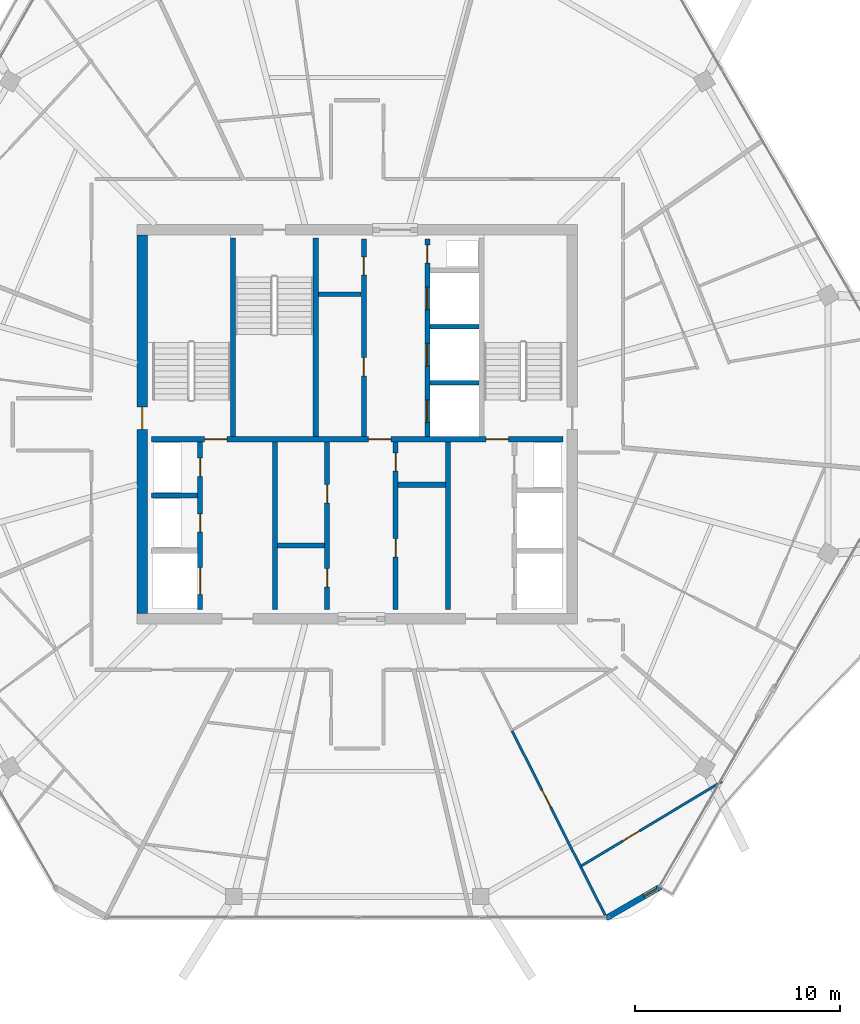
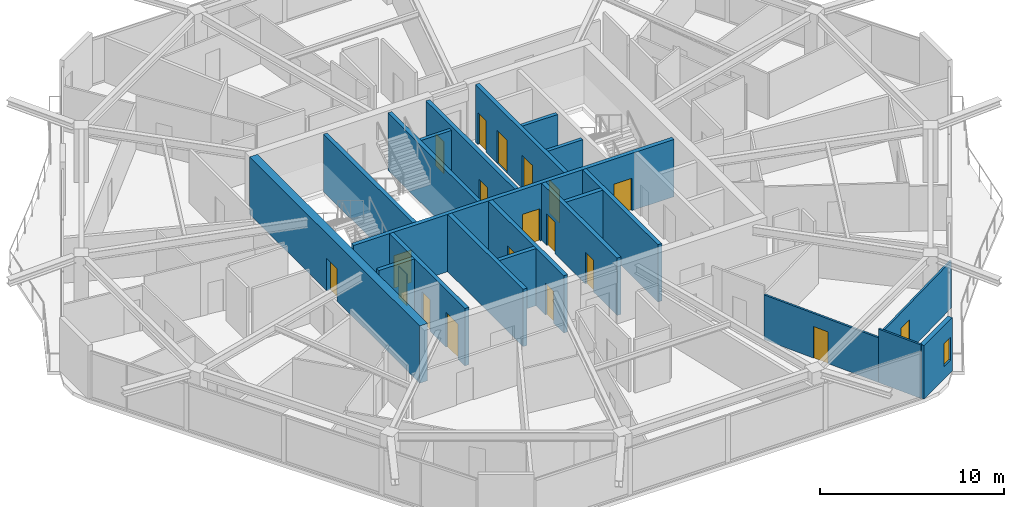
# One storey, part 13 of 19: 21 walls, 19 doors, 1 window, 20 openings.
"""IFC4 building model written with IfcOpenShell, lengths in metres."""

import ifcopenshell
import ifcopenshell.guid

model = None  # the IFC model being written
_history = None  # IfcOwnerHistory: only IFC2X3 demands one
_inside = {}  # id of a spatial element -> (the spatial element, [elements in it])
_under = {}  # id of a project, library or spatial element -> (it, [spatial elements below it])
_declared = {}  # id of a project -> (the project, [libraries it declares])
_typed = {}  # id of a type object -> (the type object, [elements of that type])
_made_of = {}  # id of a material, layer set ... -> (it, [elements and type objects made of it])


def new_model(schema):
    """Start an empty IFC model of exactly this schema.

    Asked for "IFC4X3", IfcOpenShell would pick the latest addendum, in which some entities
    have other attributes; the version numbers below select the first issue.
    IFC2X3 requires an IfcOwnerHistory on every rooted entity: one is made here for all.
    """
    global model, _history
    if schema == "IFC4X3":
        model = ifcopenshell.file(schema_version=(4, 3, 0, 0))
    else:
        model = ifcopenshell.file(schema=schema)
    _inside.clear()
    _under.clear()
    _declared.clear()
    _typed.clear()
    _made_of.clear()
    _history = None
    if model.schema == "IFC2X3":
        org = make("IfcOrganization", Name="unknown")
        user = make(
            "IfcPersonAndOrganization",
            ThePerson=make("IfcPerson", FamilyName="unknown"),
            TheOrganization=org,
        )
        app = make(
            "IfcApplication",
            ApplicationDeveloper=org,
            Version="unknown",
            ApplicationFullName="unknown",
            ApplicationIdentifier="unknown",
        )
        _history = make(
            "IfcOwnerHistory",
            OwningUser=user,
            OwningApplication=app,
            ChangeAction="ADDED",
            CreationDate=0,
        )
    return model


def make(cls, **values):
    """One entity of the class cls with the attributes given. An attribute that is None is left unset."""
    return model.create_entity(
        cls, **{name: value for name, value in values.items() if value is not None}
    )


def rooted(cls, **values):
    """An entity with a GlobalId (a new one), such as an element, a storey or a relation."""
    return make(cls, GlobalId=ifcopenshell.guid.new(), OwnerHistory=_history, **values)


def si_unit(unit_type, name, prefix=None):
    """IfcSIUnit, for example si_unit("LENGTHUNIT", "METRE", prefix="MILLI")."""
    return make("IfcSIUnit", UnitType=unit_type, Prefix=prefix, Name=name)


def assignment(units):
    """IfcUnitAssignment: the units of a project."""
    return None if units is None else make("IfcUnitAssignment", Units=units)


def point(xyz):
    """IfcCartesianPoint."""
    return None if xyz is None else make("IfcCartesianPoint", Coordinates=xyz)


def direction(xyz):
    """IfcDirection."""
    return None if xyz is None else make("IfcDirection", DirectionRatios=xyz)


def frame(location, z_axis=None, x_axis=None):
    """IfcAxis2Placement3D, a coordinate frame: its origin and axes. An axis left out is left unset."""
    return make(
        "IfcAxis2Placement3D",
        Location=point(location),
        Axis=direction(z_axis),
        RefDirection=direction(x_axis),
    )


def frame_2d(location, x_axis=None):
    """IfcAxis2Placement2D, a coordinate frame in the plane: its origin and x axis."""
    return make(
        "IfcAxis2Placement2D", Location=point(location), RefDirection=direction(x_axis)
    )


def origin():
    """The frame at (0, 0, 0) with its axes left unset."""
    return frame((0.0, 0.0, 0.0))


def place(relative_to, where):
    """IfcLocalPlacement: puts the frame where relative to a parent placement (None: the world)."""
    return make(
        "IfcLocalPlacement", PlacementRelTo=relative_to, RelativePlacement=where
    )


def context(
    kind, dimensions, precision=None, world=None, true_north=None, identifier=None
):
    """IfcGeometricRepresentationContext, for example the 3D "Model" context."""
    return make(
        "IfcGeometricRepresentationContext",
        ContextIdentifier=identifier,
        ContextType=kind,
        CoordinateSpaceDimension=dimensions,
        Precision=precision,
        WorldCoordinateSystem=world,
        TrueNorth=true_north,
    )


def subcontext(parent, identifier, kind, view, scale=None):
    """IfcGeometricRepresentationSubContext, for example "Body" below "Model"."""
    return make(
        "IfcGeometricRepresentationSubContext",
        ContextIdentifier=identifier,
        ContextType=kind,
        ParentContext=parent,
        TargetScale=scale,
        TargetView=view,
    )


def project(units=None, contexts=None):
    """IfcProject with its units and contexts."""
    return rooted(
        "IfcProject",
        Name="project",
        RepresentationContexts=contexts,
        UnitsInContext=assignment(units),
    )


def spatial(cls, under=None, at=None, **own):
    """A site, building, storey or space (cls), placed at a placement, below another one or the project."""
    s = rooted(cls, ObjectPlacement=at, **own)
    if under is not None:
        _under.setdefault(under.id(), (under, []))[1].append(s)
    return s


def profile(cls, at=None, kind="AREA", **sizes):
    """A parametric profile (cls). Its sizes go by their IFC names, for example OverallWidth=200.0."""
    return make(cls, ProfileType=kind, Position=at, **sizes)


def rectangle(**sizes):
    """IfcRectangleProfileDef."""
    return profile("IfcRectangleProfileDef", **sizes)


def extrude(swept, where, along, depth):
    """IfcExtrudedAreaSolid: the profile swept, set in the frame where, extruded along a direction by depth."""
    return make(
        "IfcExtrudedAreaSolid",
        SweptArea=swept,
        Position=where,
        ExtrudedDirection=direction(along),
        Depth=depth,
    )


def shape(context_of_items, identifier, shape_type, items):
    """IfcShapeRepresentation: the items that make up one representation, for example the "Body"."""
    return make(
        "IfcShapeRepresentation",
        ContextOfItems=context_of_items,
        RepresentationIdentifier=identifier,
        RepresentationType=shape_type,
        Items=items,
    )


def material(Name=None, Category=None):
    """IfcMaterial."""
    return make("IfcMaterial", Name=Name, Category=Category)


def layer(
    of_material, thickness, ventilated=None, Name=None, Category=None, Priority=None
):
    """IfcMaterialLayer: one layer of a wall or slab, of a material (None: an air gap)."""
    return make(
        "IfcMaterialLayer",
        Material=of_material,
        LayerThickness=thickness,
        IsVentilated=ventilated,
        Name=Name,
        Category=Category,
        Priority=Priority,
    )


def layer_set(layers, Name=None):
    """IfcMaterialLayerSet."""
    return make("IfcMaterialLayerSet", MaterialLayers=layers, LayerSetName=Name)


def made_of(thing, what):
    """Note that an element or type object is made of a material, layer set ...; save() writes the relation."""
    if what is not None:
        _made_of.setdefault(what.id(), (what, []))[1].append(thing)
    return thing


def type_object(cls, material=None, **own):
    """A type object (cls), such as IfcWallType, which elements share."""
    return made_of(rooted(cls, **own), material)


def element(
    cls,
    number,
    at=None,
    inside=None,
    cuts=None,
    type_object=None,
    material=None,
    context=None,
    identifier="Body",
    shape_type=None,
    held_by="IfcProductDefinitionShape",
    body=None,
    shapes=None,
    **own,
):
    """One element of the class cls, such as IfcWall. Its Tag is "e" and its number.

    at: its placement. inside: the storey or other place that contains it. cuts: it is an
    opening in that element (IfcRelVoidsElement). A single representation is given by context,
    identifier, shape_type and body (its items); several are given by shapes. held_by: the class
    of the entity that holds the representations. save() writes the other relations.
    """
    e = rooted(cls, Tag="e%d" % number, ObjectPlacement=at, **own)
    if body is not None:
        shapes = [shape(context, identifier, shape_type, body)]
    if shapes is not None:
        e.Representation = make(held_by, Representations=shapes)
    if inside is not None:
        _inside.setdefault(inside.id(), (inside, []))[1].append(e)
    if cuts is not None:
        rooted(
            "IfcRelVoidsElement", RelatingBuildingElement=cuts, RelatedOpeningElement=e
        )
    if type_object is not None:
        _typed.setdefault(type_object.id(), (type_object, []))[1].append(e)
    return made_of(e, material)


def fill(opening, filler):
    """IfcRelFillsElement: the door or window that sits in an opening."""
    return rooted(
        "IfcRelFillsElement",
        RelatingOpeningElement=opening,
        RelatedBuildingElement=filler,
    )


def aggregate(whole, parts):
    """IfcRelAggregates: a whole, such as a stair, and the parts it consists of."""
    return rooted("IfcRelAggregates", RelatingObject=whole, RelatedObjects=parts)


def save(model, path):
    """Write the relations noted so far, then the file.

    IfcRelAggregates (storeys below a building ...), IfcRelContainedInSpatialStructure (elements
    in a storey), IfcRelDefinesByType, IfcRelAssociatesMaterial and IfcRelDeclares: one each for
    every whole, place, type object, material and project.
    """
    for whole, parts in _under.values():
        aggregate(whole, parts)
    for where, things in _inside.values():
        rooted(
            "IfcRelContainedInSpatialStructure",
            RelatedElements=things,
            RelatingStructure=where,
        )
    for kind, things in _typed.values():
        rooted("IfcRelDefinesByType", RelatedObjects=things, RelatingType=kind)
    for what, things in _made_of.values():
        rooted("IfcRelAssociatesMaterial", RelatedObjects=things, RelatingMaterial=what)
    for by, libraries in _declared.values():
        rooted("IfcRelDeclares", RelatingContext=by, RelatedDefinitions=libraries)
    model.write(path)


model = new_model("IFC4")

# Units and contexts
model_context = context("Model", 3, precision=1e-05, world=origin(), true_north=direction((0.0, 1.0)))
body_context = subcontext(model_context, "Body", "Model", "MODEL_VIEW")
ifc_project = project(units=[si_unit("LENGTHUNIT", "METRE"), si_unit("AREAUNIT", "SQUARE_METRE"), si_unit("VOLUMEUNIT", "CUBIC_METRE"), si_unit("PLANEANGLEUNIT", "RADIAN"), si_unit("MASSUNIT", "GRAM", prefix="KILO")], contexts=[model_context])

# Site, building, storey
site_placement = place(None, origin())
site = spatial("IfcSite", under=ifc_project, at=site_placement, CompositionType="ELEMENT")
building_placement = place(site_placement, origin())
building = spatial("IfcBuilding", under=site, at=building_placement, Name="Zuhravey Tower", CompositionType="ELEMENT")
storey_placement = place(building_placement, frame((0.0, 0.0, 327.199951171875)))
storey = spatial("IfcBuildingStorey", under=building, at=storey_placement, Name="L83", CompositionType="ELEMENT", Elevation=327.199951171875)

# Wall, opening, door
ifc_material_1 = material(Name="Concrete C50/60", Category="concrete")
ifc_layer_1 = layer(ifc_material_1, 0.5)
ifc_layer_set_1 = layer_set([ifc_layer_1], Name="Concrete C50/60")
wall_type_1 = type_object("IfcWallType", Name="Core Shear Wall 500", PredefinedType="SHEAR", material=ifc_layer_set_1)
wall_1_placement = place(storey_placement, frame((25.5, 22.75, 0.0), z_axis=(0.0, 0.0, 1.0), x_axis=(0.0, 1.0, 0.0)))
wall_1 = element("IfcWall", 1, at=wall_1_placement, inside=storey, type_object=wall_type_1, Name="L83 West Core Shear Wall CW50", PredefinedType="SHEAR", context=body_context, shape_type="SweptSolid", body=[
    extrude(rectangle(XDim=18.5, YDim=0.5, at=frame_2d((9.25, 0.0))), origin(), (0.0, 0.0, 1.0), 3.800048828125),
])
opening_1_placement = place(wall_1_placement, frame((9.0, 0.0, 0.0)))
opening_1 = element("IfcOpeningElement", 2, at=opening_1_placement, cuts=wall_1, Name="Opening STD1", PredefinedType="OPENING", context=body_context, shape_type="SweptSolid", body=[
    extrude(rectangle(XDim=1.10009765625, YDim=2.14990234375, at=frame_2d((0.550048828125, 1.074951171875))), frame((0.0, 0.261962890625, 0.0), z_axis=(0.0, -1.0, 0.0), x_axis=(1.0, 0.0, 0.0)), (0.0, 0.0, 1.0), 0.52392578125),
])
ifc_material_2 = material(Name="Galvanised fire-rated steel leaf", Category="steel")
door_type_1 = type_object("IfcDoorType", Name="Protected Stair Fire Door 1100x2150", OperationType="NOTDEFINED", PredefinedType="USERDEFINED", material=ifc_material_2)
door_1_placement = place(opening_1_placement, frame((1.10009765625, 0.0, 0.0), z_axis=(0.0, 0.0, 1.0), x_axis=(-1.0, 0.0, 0.0)))
door_1 = element("IfcDoor", 3, at=door_1_placement, inside=storey, type_object=door_type_1, Name="L83 Stair ST1 Door", ObjectType="EXITDOOR", OperationType="SINGLE_SWING_LEFT", OverallHeight=2.14990234375, OverallWidth=1.10009765625, PredefinedType="USERDEFINED", context=body_context, shape_type="SweptSolid", body=[
    extrude(rectangle(XDim=1.10009765625, YDim=2.14990234375, at=frame_2d((0.550048828125, 1.074951171875))), frame((0.0, 0.02490234375, 0.0), z_axis=(0.0, -1.0, 0.0), x_axis=(1.0, 0.0, 0.0)), (0.0, 0.0, 1.0), 0.050048828125),
])
fill(opening_1, door_1)

# Wall, opening, window
ifc_material_3 = material(Name="Precast concrete C40/50", Category="concrete")
ifc_layer_2 = layer(ifc_material_3, 0.280029296875)
ifc_layer_set_2 = layer_set([ifc_layer_2], Name="Precast concrete C40/50")
wall_type_2 = type_object("IfcWallType", Name="Crown Architectural Wall 280", PredefinedType="SOLIDWALL", material=ifc_layer_set_2)
wall_2_placement = place(storey_placement, frame((50.811279296875, 9.410888671875, 0.0), z_axis=(0.0, 0.0, 1.0), x_axis=(-0.866023752521, -0.50000286006, 0.0)))
wall_2 = element("IfcWall", 4, at=wall_2_placement, inside=storey, type_object=wall_type_2, Name="L83 Rounded Corner Closure Wall EW28-02", PredefinedType="SOLIDWALL", context=body_context, shape_type="SweptSolid", body=[
    extrude(rectangle(XDim=3.06494140625, YDim=0.280029296875, at=frame_2d((1.532470703125, 0.0))), origin(), (0.0, 0.0, 1.0), 3.550048828125),
])
opening_2_placement = place(wall_2_placement, frame((0.1728515625, 0.0, 0.85009765625)))
opening_2 = element("IfcOpeningElement", 5, at=opening_2_placement, cuts=wall_2, Name="Opening WN5", PredefinedType="OPENING", context=body_context, shape_type="SweptSolid", body=[
    extrude(rectangle(XDim=0.75, YDim=1.5, at=frame_2d((0.375, 0.75))), frame((0.0, 0.152099609375, 0.0), z_axis=(0.0, -1.0, 0.0), x_axis=(1.0, 0.0, 0.0)), (0.0, 0.0, 1.0), 0.303955078125),
])
ifc_material_4 = material(Name="Thermally broken aluminium and triple low-E glass", Category="aluminium")
window_type = type_object("IfcWindowType", Name="Residential Corner Casement Window 750x1500", PartitioningType="SINGLE_PANEL", PredefinedType="WINDOW", material=ifc_material_4)
window_placement = place(opening_2_placement, origin())
window = element("IfcWindow", 6, at=window_placement, inside=storey, type_object=window_type, Name="L83 Corner Casement Window WN5-02.1", OverallHeight=1.5, OverallWidth=0.75, PartitioningType="SINGLE_PANEL", PredefinedType="WINDOW", context=body_context, shape_type="SweptSolid", body=[
    extrude(rectangle(XDim=0.75, YDim=1.5, at=frame_2d((0.375, 0.75))), frame((0.0, 0.030029296875, 0.0), z_axis=(0.0, -1.0, 0.0), x_axis=(1.0, 0.0, 0.0)), (0.0, 0.0, 1.0), 0.06005859375),
])
fill(opening_2, window)

# Wall, openings, doors
ifc_layer_3 = layer(ifc_material_1, 0.25)
ifc_layer_set_3 = layer_set([ifc_layer_3], Name="Concrete C50/60")
wall_type_3 = type_object("IfcWallType", Name="Firefighting Shaft & Stair Wall 250", PredefinedType="SOLIDWALL", material=ifc_layer_set_3)
wall_3_placement = place(storey_placement, frame((25.949951171875, 31.27490234375, 0.0), z_axis=(0.0, 0.0, 1.0), x_axis=(1.0, 0.0, 0.0)))
wall_3 = element("IfcWall", 7, at=wall_3_placement, inside=storey, type_object=wall_type_3, Name="L83 FW25 Shaft Wall 003", PredefinedType="SOLIDWALL", context=body_context, shape_type="SweptSolid", body=[
    extrude(rectangle(XDim=20.10009765625, YDim=0.25, at=frame_2d((10.050048828125, 0.0))), origin(), (0.0, 0.0, 1.0), 3.800048828125),
])
opening_3_placement = place(wall_3_placement, frame((2.60009765625, 0.0, 0.0)))
opening_3 = element("IfcOpeningElement", 8, at=opening_3_placement, cuts=wall_3, Name="Opening STD1", PredefinedType="OPENING", context=body_context, shape_type="SweptSolid", body=[
    extrude(rectangle(XDim=1.10009765625, YDim=2.14990234375, at=frame_2d((0.550048828125, 1.074951171875))), frame((0.0, 0.136962890625, 0.0), z_axis=(0.0, -1.0, 0.0), x_axis=(1.0, 0.0, 0.0)), (0.0, 0.0, 1.0), 0.27392578125),
])
opening_4_placement = place(wall_3_placement, frame((10.60009765625, 0.0, 0.0)))
opening_4 = element("IfcOpeningElement", 9, at=opening_4_placement, cuts=wall_3, Name="Opening STD1", PredefinedType="OPENING", context=body_context, shape_type="SweptSolid", body=[
    extrude(rectangle(XDim=1.10009765625, YDim=2.14990234375, at=frame_2d((0.550048828125, 1.074951171875))), frame((0.0, 0.136962890625, 0.0), z_axis=(0.0, -1.0, 0.0), x_axis=(1.0, 0.0, 0.0)), (0.0, 0.0, 1.0), 0.27392578125),
])
opening_5_placement = place(wall_3_placement, frame((16.35009765625, 0.0, 0.0)))
opening_5 = element("IfcOpeningElement", 10, at=opening_5_placement, cuts=wall_3, Name="Opening STD1", PredefinedType="OPENING", context=body_context, shape_type="SweptSolid", body=[
    extrude(rectangle(XDim=1.10009765625, YDim=2.14990234375, at=frame_2d((0.550048828125, 1.074951171875))), frame((0.0, 0.136962890625, 0.0), z_axis=(0.0, -1.0, 0.0), x_axis=(1.0, 0.0, 0.0)), (0.0, 0.0, 1.0), 0.27392578125),
])
door_2_placement = place(opening_3_placement, origin())
door_2 = element("IfcDoor", 11, at=door_2_placement, inside=storey, type_object=door_type_1, Name="L83 FFL-W to ST1 Door", ObjectType="EXITDOOR", OperationType="SINGLE_SWING_RIGHT", OverallHeight=2.14990234375, OverallWidth=1.10009765625, PredefinedType="USERDEFINED", context=body_context, shape_type="SweptSolid", body=[
    extrude(rectangle(XDim=1.10009765625, YDim=2.14990234375, at=frame_2d((0.550048828125, 1.074951171875))), frame((0.0, 0.02490234375, 0.0), z_axis=(0.0, -1.0, 0.0), x_axis=(1.0, 0.0, 0.0)), (0.0, 0.0, 1.0), 0.050048828125),
])
fill(opening_3, door_2)
door_3_placement = place(opening_4_placement, origin())
door_3 = element("IfcDoor", 12, at=door_3_placement, inside=storey, type_object=door_type_1, Name="L83 Core Lobby Link Door", ObjectType="EXITDOOR", OperationType="SINGLE_SWING_LEFT", OverallHeight=2.14990234375, OverallWidth=1.10009765625, PredefinedType="USERDEFINED", context=body_context, shape_type="SweptSolid", body=[
    extrude(rectangle(XDim=1.10009765625, YDim=2.14990234375, at=frame_2d((0.550048828125, 1.074951171875))), frame((0.0, 0.02490234375, 0.0), z_axis=(0.0, -1.0, 0.0), x_axis=(1.0, 0.0, 0.0)), (0.0, 0.0, 1.0), 0.050048828125),
])
fill(opening_4, door_3)
door_4_placement = place(opening_5_placement, origin())
door_4 = element("IfcDoor", 13, at=door_4_placement, inside=storey, type_object=door_type_1, Name="L83 FFL-E to ST2 Door", ObjectType="EXITDOOR", OperationType="SINGLE_SWING_RIGHT", OverallHeight=2.14990234375, OverallWidth=1.10009765625, PredefinedType="USERDEFINED", context=body_context, shape_type="SweptSolid", body=[
    extrude(rectangle(XDim=1.10009765625, YDim=2.14990234375, at=frame_2d((0.550048828125, 1.074951171875))), frame((0.0, 0.02490234375, 0.0), z_axis=(0.0, -1.0, 0.0), x_axis=(1.0, 0.0, 0.0)), (0.0, 0.0, 1.0), 0.050048828125),
])
fill(opening_5, door_4)

# Walls
for number, where, z_axis, x_axis, name in (
    (14, (29.925048828125, 31.39990234375, 0.0), (0.0, 0.0, 1.0), (0.0, 1.0, 0.0), "L83 FW25 Shaft Wall 004"),
    (15, (33.97509765625, 31.39990234375, 0.0), (0.0, 0.0, 1.0), (0.0, 1.0, 0.0), "L83 FW25 Shaft Wall 005"),
):
    element("IfcWall", number, at=place(storey_placement, frame(where, z_axis=z_axis, x_axis=x_axis)), inside=storey, type_object=wall_type_3, Name=name, PredefinedType="SOLIDWALL", context=body_context, shape_type="SweptSolid", body=[
        extrude(rectangle(XDim=9.7001953125, YDim=0.25, at=frame_2d((4.85009765625, 0.0))), origin(), (0.0, 0.0, 1.0), 3.800048828125),
    ])

# Wall, openings, doors
wall_4_placement = place(storey_placement, frame((36.324951171875, 31.39990234375, 0.0), z_axis=(0.0, 0.0, 1.0), x_axis=(0.0, 1.0, 0.0)))
wall_4 = element("IfcWall", 16, at=wall_4_placement, inside=storey, type_object=wall_type_3, Name="L83 FW25 Shaft Wall 007", PredefinedType="SOLIDWALL", context=body_context, shape_type="SweptSolid", body=[
    extrude(rectangle(XDim=9.650146484375, YDim=0.25, at=frame_2d((4.8251953125, 0.0))), origin(), (0.0, 0.0, 1.0), 3.800048828125),
])
opening_6_placement = place(wall_4_placement, frame((2.965087890625, 0.0, 0.0)))
opening_6 = element("IfcOpeningElement", 17, at=opening_6_placement, cuts=wall_4, Name="Opening RSD1", PredefinedType="OPENING", context=body_context, shape_type="SweptSolid", body=[
    extrude(rectangle(XDim=0.89990234375, YDim=2.10009765625, at=frame_2d((0.449951171875, 1.050048828125))), frame((0.0, 0.136962890625, 0.0), z_axis=(0.0, -1.0, 0.0), x_axis=(1.0, 0.0, 0.0)), (0.0, 0.0, 1.0), 0.27392578125),
])
opening_7_placement = place(wall_4_placement, frame((7.885009765625, 0.0, 0.0)))
opening_7 = element("IfcOpeningElement", 18, at=opening_7_placement, cuts=wall_4, Name="Opening RSD1", PredefinedType="OPENING", context=body_context, shape_type="SweptSolid", body=[
    extrude(rectangle(XDim=0.89990234375, YDim=2.10009765625, at=frame_2d((0.449951171875, 1.050048828125))), frame((0.0, 0.136962890625, 0.0), z_axis=(0.0, -1.0, 0.0), x_axis=(1.0, 0.0, 0.0)), (0.0, 0.0, 1.0), 0.27392578125),
])
ifc_material_5 = material(Name="Galvanised fire-rated steel access leaf", Category="steel")
door_type_2 = type_object("IfcDoorType", Name="Riser & Shaft Access Fire Door 900x2100", OperationType="NOTDEFINED", PredefinedType="DOOR", material=ifc_material_5)
door_5_placement = place(opening_6_placement, origin())
door_5 = element("IfcDoor", 19, at=door_5_placement, inside=storey, type_object=door_type_2, Name="L83 Equipment and Refuse Store Door", OperationType="SINGLE_SWING_LEFT", OverallHeight=2.10009765625, OverallWidth=0.89990234375, PredefinedType="DOOR", context=body_context, shape_type="SweptSolid", body=[
    extrude(rectangle(XDim=0.89990234375, YDim=2.10009765625, at=frame_2d((0.449951171875, 1.050048828125))), frame((0.0, 0.02490234375, 0.0), z_axis=(0.0, -1.0, 0.0), x_axis=(1.0, 0.0, 0.0)), (0.0, 0.0, 1.0), 0.050048828125),
])
fill(opening_6, door_5)
door_6_placement = place(opening_7_placement, origin())
door_6 = element("IfcDoor", 20, at=door_6_placement, inside=storey, type_object=door_type_2, Name="L83 BMS Control Room Door", OperationType="SINGLE_SWING_RIGHT", OverallHeight=2.10009765625, OverallWidth=0.89990234375, PredefinedType="DOOR", context=body_context, shape_type="SweptSolid", body=[
    extrude(rectangle(XDim=0.89990234375, YDim=2.10009765625, at=frame_2d((0.449951171875, 1.050048828125))), frame((0.0, 0.02490234375, 0.0), z_axis=(0.0, -1.0, 0.0), x_axis=(1.0, 0.0, 0.0)), (0.0, 0.0, 1.0), 0.050048828125),
])
fill(opening_7, door_6)

wall_5_placement = place(storey_placement, frame((39.425048828125, 31.39990234375, 0.0), z_axis=(0.0, 0.0, 1.0), x_axis=(0.0, 1.0, 0.0)))
wall_5 = element("IfcWall", 21, at=wall_5_placement, inside=storey, type_object=wall_type_3, Name="L83 FW25 Shaft Wall 008", PredefinedType="SOLIDWALL", context=body_context, shape_type="SweptSolid", body=[
    extrude(rectangle(XDim=9.650146484375, YDim=0.25, at=frame_2d((4.8251953125, 0.0))), origin(), (0.0, 0.0, 1.0), 3.800048828125),
])
opening_8_placement = place(wall_5_placement, frame((0.699951171875, 0.0, 0.0)))
opening_8 = element("IfcOpeningElement", 22, at=opening_8_placement, cuts=wall_5, Name="Opening LD1", PredefinedType="OPENING", context=body_context, shape_type="SweptSolid", body=[
    extrude(rectangle(XDim=1.10009765625, YDim=2.199951171875, at=frame_2d((0.550048828125, 1.10009765625))), frame((0.0, 0.136962890625, 0.0), z_axis=(0.0, -1.0, 0.0), x_axis=(1.0, 0.0, 0.0)), (0.0, 0.0, 1.0), 0.27392578125),
])
opening_9_placement = place(wall_5_placement, frame((3.449951171875, 0.0, 0.0)))
opening_9 = element("IfcOpeningElement", 23, at=opening_9_placement, cuts=wall_5, Name="Opening LD1", PredefinedType="OPENING", context=body_context, shape_type="SweptSolid", body=[
    extrude(rectangle(XDim=1.10009765625, YDim=2.199951171875, at=frame_2d((0.550048828125, 1.10009765625))), frame((0.0, 0.136962890625, 0.0), z_axis=(0.0, -1.0, 0.0), x_axis=(1.0, 0.0, 0.0)), (0.0, 0.0, 1.0), 0.27392578125),
])
opening_10_placement = place(wall_5_placement, frame((6.199951171875, 0.0, 0.0)))
opening_10 = element("IfcOpeningElement", 24, at=opening_10_placement, cuts=wall_5, Name="Opening LD1", PredefinedType="OPENING", context=body_context, shape_type="SweptSolid", body=[
    extrude(rectangle(XDim=1.10009765625, YDim=2.199951171875, at=frame_2d((0.550048828125, 1.10009765625))), frame((0.0, 0.136962890625, 0.0), z_axis=(0.0, -1.0, 0.0), x_axis=(1.0, 0.0, 0.0)), (0.0, 0.0, 1.0), 0.27392578125),
])
opening_11_placement = place(wall_5_placement, frame((8.469970703125, 0.0, 0.0)))
opening_11 = element("IfcOpeningElement", 25, at=opening_11_placement, cuts=wall_5, Name="Opening RSD1", PredefinedType="OPENING", context=body_context, shape_type="SweptSolid", body=[
    extrude(rectangle(XDim=0.89990234375, YDim=2.10009765625, at=frame_2d((0.449951171875, 1.050048828125))), frame((0.0, 0.136962890625, 0.0), z_axis=(0.0, -1.0, 0.0), x_axis=(1.0, 0.0, 0.0)), (0.0, 0.0, 1.0), 0.27392578125),
])
ifc_material_6 = material(Name="Brushed stainless steel", Category="steel")
door_type_3 = type_object("IfcDoorType", Name="Lift Landing Sliding Door 1100x2200", OperationType="DOUBLE_DOOR_SLIDING", PredefinedType="DOOR", material=ifc_material_6)
door_7_placement = place(opening_8_placement, origin())
door_7 = element("IfcDoor", 26, at=door_7_placement, inside=storey, type_object=door_type_3, Name="L83 Lift PL7 Landing Door", OperationType="DOUBLE_DOOR_SLIDING", OverallHeight=2.199951171875, OverallWidth=1.10009765625, PredefinedType="DOOR", context=body_context, shape_type="SweptSolid", body=[
    extrude(rectangle(XDim=1.10009765625, YDim=2.199951171875, at=frame_2d((0.550048828125, 1.10009765625))), frame((0.0, 0.02490234375, 0.0), z_axis=(0.0, -1.0, 0.0), x_axis=(1.0, 0.0, 0.0)), (0.0, 0.0, 1.0), 0.050048828125),
])
fill(opening_8, door_7)
door_8_placement = place(opening_9_placement, origin())
door_8 = element("IfcDoor", 27, at=door_8_placement, inside=storey, type_object=door_type_3, Name="L83 Lift PL8 Landing Door", OperationType="DOUBLE_DOOR_SLIDING", OverallHeight=2.199951171875, OverallWidth=1.10009765625, PredefinedType="DOOR", context=body_context, shape_type="SweptSolid", body=[
    extrude(rectangle(XDim=1.10009765625, YDim=2.199951171875, at=frame_2d((0.550048828125, 1.10009765625))), frame((0.0, 0.02490234375, 0.0), z_axis=(0.0, -1.0, 0.0), x_axis=(1.0, 0.0, 0.0)), (0.0, 0.0, 1.0), 0.050048828125),
])
fill(opening_9, door_8)
door_9_placement = place(opening_10_placement, origin())
door_9 = element("IfcDoor", 28, at=door_9_placement, inside=storey, type_object=door_type_3, Name="L83 Lift PL9 Landing Door", OperationType="DOUBLE_DOOR_SLIDING", OverallHeight=2.199951171875, OverallWidth=1.10009765625, PredefinedType="DOOR", context=body_context, shape_type="SweptSolid", body=[
    extrude(rectangle(XDim=1.10009765625, YDim=2.199951171875, at=frame_2d((0.550048828125, 1.10009765625))), frame((0.0, 0.02490234375, 0.0), z_axis=(0.0, -1.0, 0.0), x_axis=(1.0, 0.0, 0.0)), (0.0, 0.0, 1.0), 0.050048828125),
])
fill(opening_10, door_9)
door_10_placement = place(opening_11_placement, origin())
door_10 = element("IfcDoor", 29, at=door_10_placement, inside=storey, type_object=door_type_2, Name="L83 North Riser Door", OperationType="SINGLE_SWING_LEFT", OverallHeight=2.10009765625, OverallWidth=0.89990234375, PredefinedType="DOOR", context=body_context, shape_type="SweptSolid", body=[
    extrude(rectangle(XDim=0.89990234375, YDim=2.10009765625, at=frame_2d((0.449951171875, 1.050048828125))), frame((0.0, 0.02490234375, 0.0), z_axis=(0.0, -1.0, 0.0), x_axis=(1.0, 0.0, 0.0)), (0.0, 0.0, 1.0), 0.050048828125),
])
fill(opening_11, door_10)

# Wall
wall_6_placement = place(storey_placement, frame((25.949951171875, 28.52490234375, 0.0), z_axis=(0.0, 0.0, 1.0), x_axis=(1.0, 0.0, 0.0)))
element("IfcWall", 30, at=wall_6_placement, inside=storey, type_object=wall_type_3, Name="L83 FW25 Shaft Wall 010", PredefinedType="SOLIDWALL", context=body_context, shape_type="SweptSolid", body=[
    extrude(rectangle(XDim=2.25, YDim=0.25, at=frame_2d((1.125, 0.0))), origin(), (0.0, 0.0, 1.0), 3.800048828125),
])

# Wall, openings, doors
wall_7_placement = place(storey_placement, frame((28.324951171875, 22.949951171875, 0.0), z_axis=(0.0, 0.0, 1.0), x_axis=(0.0, 1.0, 0.0)))
wall_7 = element("IfcWall", 31, at=wall_7_placement, inside=storey, type_object=wall_type_3, Name="L83 FW25 Shaft Wall 011", PredefinedType="SOLIDWALL", context=body_context, shape_type="SweptSolid", body=[
    extrude(rectangle(XDim=8.199951171875, YDim=0.25, at=frame_2d((4.10009765625, 0.0))), origin(), (0.0, 0.0, 1.0), 3.800048828125),
])
opening_12_placement = place(wall_7_placement, frame((0.75, 0.0, 0.0)))
opening_12 = element("IfcOpeningElement", 32, at=opening_12_placement, cuts=wall_7, Name="Opening LD2", PredefinedType="OPENING", context=body_context, shape_type="SweptSolid", body=[
    extrude(rectangle(XDim=1.300048828125, YDim=2.300048828125, at=frame_2d((0.64990234375, 1.14990234375))), frame((0.0, 0.136962890625, 0.0), z_axis=(0.0, -1.0, 0.0), x_axis=(1.0, 0.0, 0.0)), (0.0, 0.0, 1.0), 0.27392578125),
])
opening_13_placement = place(wall_7_placement, frame((3.780029296875, 0.0, 0.0)))
opening_13 = element("IfcOpeningElement", 33, at=opening_13_placement, cuts=wall_7, Name="Opening RSD1", PredefinedType="OPENING", context=body_context, shape_type="SweptSolid", body=[
    extrude(rectangle(XDim=0.89990234375, YDim=2.10009765625, at=frame_2d((0.449951171875, 1.050048828125))), frame((0.0, 0.136962890625, 0.0), z_axis=(0.0, -1.0, 0.0), x_axis=(1.0, 0.0, 0.0)), (0.0, 0.0, 1.0), 0.27392578125),
])
opening_14_placement = place(wall_7_placement, frame((6.5, 0.0, 0.0)))
opening_14 = element("IfcOpeningElement", 34, at=opening_14_placement, cuts=wall_7, Name="Opening RSD1", PredefinedType="OPENING", context=body_context, shape_type="SweptSolid", body=[
    extrude(rectangle(XDim=0.89990234375, YDim=2.10009765625, at=frame_2d((0.449951171875, 1.050048828125))), frame((0.0, 0.136962890625, 0.0), z_axis=(0.0, -1.0, 0.0), x_axis=(1.0, 0.0, 0.0)), (0.0, 0.0, 1.0), 0.27392578125),
])
door_type_4 = type_object("IfcDoorType", Name="Freight & Stretcher Lift Sliding Door 1300x2300", OperationType="DOUBLE_DOOR_SLIDING", PredefinedType="DOOR", material=ifc_material_6)
door_11_placement = place(opening_12_placement, frame((1.300048828125, 0.0, 0.0), z_axis=(0.0, 0.0, 1.0), x_axis=(-1.0, 0.0, 0.0)))
door_11 = element("IfcDoor", 35, at=door_11_placement, inside=storey, type_object=door_type_4, Name="L83 Lift FF1 Landing Door", OperationType="DOUBLE_DOOR_SLIDING", OverallHeight=2.300048828125, OverallWidth=1.300048828125, PredefinedType="DOOR", context=body_context, shape_type="SweptSolid", body=[
    extrude(rectangle(XDim=1.300048828125, YDim=2.300048828125, at=frame_2d((0.64990234375, 1.14990234375))), frame((0.0, 0.02490234375, 0.0), z_axis=(0.0, -1.0, 0.0), x_axis=(1.0, 0.0, 0.0)), (0.0, 0.0, 1.0), 0.050048828125),
])
fill(opening_12, door_11)
door_12_placement = place(opening_13_placement, frame((0.89990234375, 0.0, 0.0), z_axis=(0.0, 0.0, 1.0), x_axis=(-1.0, 0.0, 0.0)))
door_12 = element("IfcDoor", 36, at=door_12_placement, inside=storey, type_object=door_type_2, Name="L83 Electrical Riser Door", OperationType="SINGLE_SWING_RIGHT", OverallHeight=2.10009765625, OverallWidth=0.89990234375, PredefinedType="DOOR", context=body_context, shape_type="SweptSolid", body=[
    extrude(rectangle(XDim=0.89990234375, YDim=2.10009765625, at=frame_2d((0.449951171875, 1.050048828125))), frame((0.0, 0.02490234375, 0.0), z_axis=(0.0, -1.0, 0.0), x_axis=(1.0, 0.0, 0.0)), (0.0, 0.0, 1.0), 0.050048828125),
])
fill(opening_13, door_12)
door_13_placement = place(opening_14_placement, frame((0.89990234375, 0.0, 0.0), z_axis=(0.0, 0.0, 1.0), x_axis=(-1.0, 0.0, 0.0)))
door_13 = element("IfcDoor", 37, at=door_13_placement, inside=storey, type_object=door_type_2, Name="L83 Smoke Shaft Access Door", OperationType="SINGLE_SWING_LEFT", OverallHeight=2.10009765625, OverallWidth=0.89990234375, PredefinedType="DOOR", context=body_context, shape_type="SweptSolid", body=[
    extrude(rectangle(XDim=0.89990234375, YDim=2.10009765625, at=frame_2d((0.449951171875, 1.050048828125))), frame((0.0, 0.02490234375, 0.0), z_axis=(0.0, -1.0, 0.0), x_axis=(1.0, 0.0, 0.0)), (0.0, 0.0, 1.0), 0.050048828125),
])
fill(opening_14, door_13)

# Walls
wall_8_placement = place(storey_placement, frame((31.97509765625, 22.949951171875, 0.0), z_axis=(0.0, 0.0, 1.0), x_axis=(0.0, 1.0, 0.0)))
element("IfcWall", 38, at=wall_8_placement, inside=storey, type_object=wall_type_3, Name="L83 FW25 Shaft Wall 012", PredefinedType="SOLIDWALL", context=body_context, shape_type="SweptSolid", body=[
    extrude(rectangle(XDim=8.199951171875, YDim=0.25, at=frame_2d((4.10009765625, 0.0))), origin(), (0.0, 0.0, 1.0), 3.800048828125),
])
wall_9_placement = place(storey_placement, frame((32.10009765625, 26.074951171875, 0.0), z_axis=(0.0, 0.0, 1.0), x_axis=(1.0, 0.0, 0.0)))
element("IfcWall", 39, at=wall_9_placement, inside=storey, type_object=wall_type_3, Name="L83 FW25 Shaft Wall 013", PredefinedType="SOLIDWALL", context=body_context, shape_type="SweptSolid", body=[
    extrude(rectangle(XDim=2.2998046875, YDim=0.25, at=frame_2d((1.14990234375, 0.0))), origin(), (0.0, 0.0, 1.0), 3.800048828125),
])

# Wall, openings, doors
wall_10_placement = place(storey_placement, frame((34.52490234375, 22.949951171875, 0.0), z_axis=(0.0, 0.0, 1.0), x_axis=(0.0, 1.0, 0.0)))
wall_10 = element("IfcWall", 40, at=wall_10_placement, inside=storey, type_object=wall_type_3, Name="L83 FW25 Shaft Wall 014", PredefinedType="SOLIDWALL", context=body_context, shape_type="SweptSolid", body=[
    extrude(rectangle(XDim=8.199951171875, YDim=0.25, at=frame_2d((4.10009765625, 0.0))), origin(), (0.0, 0.0, 1.0), 3.800048828125),
])
opening_15_placement = place(wall_10_placement, frame((1.10009765625, 0.0, 0.0)))
opening_15 = element("IfcOpeningElement", 41, at=opening_15_placement, cuts=wall_10, Name="Opening RSD1", PredefinedType="OPENING", context=body_context, shape_type="SweptSolid", body=[
    extrude(rectangle(XDim=0.89990234375, YDim=2.10009765625, at=frame_2d((0.449951171875, 1.050048828125))), frame((0.0, 0.136962890625, 0.0), z_axis=(0.0, -1.0, 0.0), x_axis=(1.0, 0.0, 0.0)), (0.0, 0.0, 1.0), 0.27392578125),
])
opening_16_placement = place(wall_10_placement, frame((5.199951171875, 0.0, 0.0)))
opening_16 = element("IfcOpeningElement", 42, at=opening_16_placement, cuts=wall_10, Name="Opening RSD1", PredefinedType="OPENING", context=body_context, shape_type="SweptSolid", body=[
    extrude(rectangle(XDim=0.89990234375, YDim=2.10009765625, at=frame_2d((0.449951171875, 1.050048828125))), frame((0.0, 0.136962890625, 0.0), z_axis=(0.0, -1.0, 0.0), x_axis=(1.0, 0.0, 0.0)), (0.0, 0.0, 1.0), 0.27392578125),
])
door_14_placement = place(opening_15_placement, origin())
door_14 = element("IfcDoor", 43, at=door_14_placement, inside=storey, type_object=door_type_2, Name="L83 Metering Room Door", OperationType="SINGLE_SWING_RIGHT", OverallHeight=2.10009765625, OverallWidth=0.89990234375, PredefinedType="DOOR", context=body_context, shape_type="SweptSolid", body=[
    extrude(rectangle(XDim=0.89990234375, YDim=2.10009765625, at=frame_2d((0.449951171875, 1.050048828125))), frame((0.0, 0.02490234375, 0.0), z_axis=(0.0, -1.0, 0.0), x_axis=(1.0, 0.0, 0.0)), (0.0, 0.0, 1.0), 0.050048828125),
])
fill(opening_15, door_14)
door_15_placement = place(opening_16_placement, origin())
door_15 = element("IfcDoor", 44, at=door_15_placement, inside=storey, type_object=door_type_2, Name="L83 Housekeeping Supply Door", OperationType="SINGLE_SWING_LEFT", OverallHeight=2.10009765625, OverallWidth=0.89990234375, PredefinedType="DOOR", context=body_context, shape_type="SweptSolid", body=[
    extrude(rectangle(XDim=0.89990234375, YDim=2.10009765625, at=frame_2d((0.449951171875, 1.050048828125))), frame((0.0, 0.02490234375, 0.0), z_axis=(0.0, -1.0, 0.0), x_axis=(1.0, 0.0, 0.0)), (0.0, 0.0, 1.0), 0.050048828125),
])
fill(opening_16, door_15)

# Wall
wall_11_placement = place(storey_placement, frame((38.0, 29.050048828125, 0.0), z_axis=(0.0, 0.0, 1.0), x_axis=(1.0, 0.0, 0.0)))
element("IfcWall", 45, at=wall_11_placement, inside=storey, type_object=wall_type_3, Name="L83 FW25 Shaft Wall 015", PredefinedType="SOLIDWALL", context=body_context, shape_type="SweptSolid", body=[
    extrude(rectangle(XDim=2.300048828125, YDim=0.25, at=frame_2d((1.14990234375, 0.0))), origin(), (0.0, 0.0, 1.0), 3.800048828125),
])

# Wall, openings, doors
wall_12_placement = place(storey_placement, frame((37.875, 22.949951171875, 0.0), z_axis=(0.0, 0.0, 1.0), x_axis=(0.0, 1.0, 0.0)))
wall_12 = element("IfcWall", 46, at=wall_12_placement, inside=storey, type_object=wall_type_3, Name="L83 FW25 Shaft Wall 016", PredefinedType="SOLIDWALL", context=body_context, shape_type="SweptSolid", body=[
    extrude(rectangle(XDim=8.199951171875, YDim=0.25, at=frame_2d((4.10009765625, 0.0))), origin(), (0.0, 0.0, 1.0), 3.800048828125),
])
opening_17_placement = place(wall_12_placement, frame((2.5625, 0.0, 0.0)))
opening_17 = element("IfcOpeningElement", 47, at=opening_17_placement, cuts=wall_12, Name="Opening RSD1", PredefinedType="OPENING", context=body_context, shape_type="SweptSolid", body=[
    extrude(rectangle(XDim=0.89990234375, YDim=2.10009765625, at=frame_2d((0.449951171875, 1.050048828125))), frame((0.0, 0.136962890625, 0.0), z_axis=(0.0, -1.0, 0.0), x_axis=(1.0, 0.0, 0.0)), (0.0, 0.0, 1.0), 0.27392578125),
])
opening_18_placement = place(wall_12_placement, frame((6.762451171875, 0.0, 0.0)))
opening_18 = element("IfcOpeningElement", 48, at=opening_18_placement, cuts=wall_12, Name="Opening RSD1", PredefinedType="OPENING", context=body_context, shape_type="SweptSolid", body=[
    extrude(rectangle(XDim=0.89990234375, YDim=2.10009765625, at=frame_2d((0.449951171875, 1.050048828125))), frame((0.0, 0.136962890625, 0.0), z_axis=(0.0, -1.0, 0.0), x_axis=(1.0, 0.0, 0.0)), (0.0, 0.0, 1.0), 0.27392578125),
])
door_16_placement = place(opening_17_placement, frame((0.89990234375, 0.0, 0.0), z_axis=(0.0, 0.0, 1.0), x_axis=(-1.0, 0.0, 0.0)))
door_16 = element("IfcDoor", 49, at=door_16_placement, inside=storey, type_object=door_type_2, Name="L83 Trunk Store Door", OperationType="SINGLE_SWING_RIGHT", OverallHeight=2.10009765625, OverallWidth=0.89990234375, PredefinedType="DOOR", context=body_context, shape_type="SweptSolid", body=[
    extrude(rectangle(XDim=0.89990234375, YDim=2.10009765625, at=frame_2d((0.449951171875, 1.050048828125))), frame((0.0, 0.02490234375, 0.0), z_axis=(0.0, -1.0, 0.0), x_axis=(1.0, 0.0, 0.0)), (0.0, 0.0, 1.0), 0.050048828125),
])
fill(opening_17, door_16)
door_17_placement = place(opening_18_placement, frame((0.89990234375, 0.0, 0.0), z_axis=(0.0, 0.0, 1.0), x_axis=(-1.0, 0.0, 0.0)))
door_17 = element("IfcDoor", 50, at=door_17_placement, inside=storey, type_object=door_type_2, Name="L83 Fiber Room Door", OperationType="SINGLE_SWING_LEFT", OverallHeight=2.10009765625, OverallWidth=0.89990234375, PredefinedType="DOOR", context=body_context, shape_type="SweptSolid", body=[
    extrude(rectangle(XDim=0.89990234375, YDim=2.10009765625, at=frame_2d((0.449951171875, 1.050048828125))), frame((0.0, 0.02490234375, 0.0), z_axis=(0.0, -1.0, 0.0), x_axis=(1.0, 0.0, 0.0)), (0.0, 0.0, 1.0), 0.050048828125),
])
fill(opening_18, door_17)

# Walls
wall_13_placement = place(storey_placement, frame((40.425048828125, 22.949951171875, 0.0), z_axis=(0.0, 0.0, 1.0), x_axis=(0.0, 1.0, 0.0)))
element("IfcWall", 51, at=wall_13_placement, inside=storey, type_object=wall_type_3, Name="L83 FW25 Shaft Wall 017", PredefinedType="SOLIDWALL", context=body_context, shape_type="SweptSolid", body=[
    extrude(rectangle(XDim=8.199951171875, YDim=0.25, at=frame_2d((4.10009765625, 0.0))), origin(), (0.0, 0.0, 1.0), 3.800048828125),
])
ifc_material_7 = material(Name="Gypsum acoustic stud assembly")
ifc_layer_4 = layer(ifc_material_7, 0.219970703125)
ifc_layer_set_4 = layer_set([ifc_layer_4], Name="Gypsum acoustic stud assembly")
wall_type_4 = type_object("IfcWallType", Name="School Acoustic Compartment Wall 220", PredefinedType="PARTITIONING", material=ifc_layer_set_4)
wall_14_placement = place(storey_placement, frame((34.10791015625, 38.35009765625, 0.0), z_axis=(0.0, 0.0, 1.0), x_axis=(1.0, 0.0, 0.0)))
element("IfcWall", 52, at=wall_14_placement, inside=storey, type_object=wall_type_4, Name="L83 IW22 Partition 056", PredefinedType="PARTITIONING", context=body_context, shape_type="SweptSolid", body=[
    extrude(rectangle(XDim=2.083984375, YDim=0.219970703125, at=frame_2d((1.0419921875, 0.0))), origin(), (0.0, 0.0, 1.0), 3.550048828125),
])
for number, where, z_axis, x_axis, name in (
    (53, (39.55810546875, 34.02490234375, 0.0), (0.0, 0.0, 1.0), (1.0, 0.0, 0.0), "L83 IW22 Partition 057"),
    (54, (39.55810546875, 36.77490234375, 0.0), (0.0, 0.0, 1.0), (1.0, 0.0, 0.0), "L83 IW22 Partition 058"),
):
    element("IfcWall", number, at=place(storey_placement, frame(where, z_axis=z_axis, x_axis=x_axis)), inside=storey, type_object=wall_type_4, Name=name, PredefinedType="PARTITIONING", context=body_context, shape_type="SweptSolid", body=[
        extrude(rectangle(XDim=2.3837890625, YDim=0.219970703125, at=frame_2d((1.19189453125, 0.0))), origin(), (0.0, 0.0, 1.0), 3.550048828125),
    ])

# Wall, opening, door
ifc_material_8 = material(Name="Gypsum metal-stud partition")
ifc_layer_5 = layer(ifc_material_8, 0.1201171875)
ifc_layer_set_5 = layer_set([ifc_layer_5], Name="Gypsum metal-stud partition")
wall_type_5 = type_object("IfcWallType", Name="Unit Internal Partition 120", PredefinedType="PARTITIONING", material=ifc_layer_set_5)
wall_15_placement = place(storey_placement, frame((43.565185546875, 17.0234375, 0.0), z_axis=(0.0, 0.0, 1.0), x_axis=(0.450887042269, -0.892581018796, 0.0)))
wall_15 = element("IfcWall", 55, at=wall_15_placement, inside=storey, type_object=wall_type_5, Name="L83 IW12 Partition 041", PredefinedType="PARTITIONING", context=body_context, shape_type="SweptSolid", body=[
    extrude(rectangle(XDim=7.43603515625, YDim=0.1201171875, at=frame_2d((3.718017578125, 0.0))), origin(), (0.0, 0.0, 1.0), 2.969970703125),
])
opening_19_placement = place(wall_15_placement, frame((3.218017578125, 0.0, 0.0)))
opening_19 = element("IfcOpeningElement", 56, at=opening_19_placement, cuts=wall_15, Name="Opening IND1", PredefinedType="OPENING", context=body_context, shape_type="SweptSolid", body=[
    extrude(rectangle(XDim=0.949951171875, YDim=2.10009765625, at=frame_2d((0.47509765625, 1.050048828125))), frame((0.0, 0.072021484375, 0.0), z_axis=(0.0, -1.0, 0.0), x_axis=(1.0, 0.0, 0.0)), (0.0, 0.0, 1.0), 0.14404296875),
])
ifc_material_9 = material(Name="Painted engineered timber leaf", Category="wood")
door_type_5 = type_object("IfcDoorType", Name="Internal Room & Bedroom Door 950x2100", OperationType="NOTDEFINED", PredefinedType="DOOR", material=ifc_material_9)
door_18_placement = place(opening_19_placement, origin())
door_18 = element("IfcDoor", 57, at=door_18_placement, inside=storey, type_object=door_type_5, Name="Apartment L83-05 Home Office Door", OperationType="SINGLE_SWING_RIGHT", OverallHeight=2.10009765625, OverallWidth=0.949951171875, PredefinedType="DOOR", context=body_context, shape_type="SweptSolid", body=[
    extrude(rectangle(XDim=0.949951171875, YDim=2.10009765625, at=frame_2d((0.47509765625, 1.050048828125))), frame((0.0, 0.02490234375, 0.0), z_axis=(0.0, -1.0, 0.0), x_axis=(1.0, 0.0, 0.0)), (0.0, 0.0, 1.0), 0.050048828125),
])
fill(opening_19, door_18)

wall_16_placement = place(storey_placement, frame((46.965087890625, 10.443603515625, 0.0), z_axis=(0.0, 0.0, 1.0), x_axis=(0.857167053884, 0.515038485683, 0.0)))
wall_16 = element("IfcWall", 58, at=wall_16_placement, inside=storey, type_object=wall_type_5, Name="L83 IW12 Partition 042", PredefinedType="PARTITIONING", context=body_context, shape_type="SweptSolid", body=[
    extrude(rectangle(XDim=8.0029296875, YDim=0.1201171875, at=frame_2d((4.00146484375, 0.0))), origin(), (0.0, 0.0, 1.0), 3.1220703125),
])
opening_20_placement = place(wall_16_placement, frame((2.34228515625, 0.0, 0.0)))
opening_20 = element("IfcOpeningElement", 59, at=opening_20_placement, cuts=wall_16, Name="Opening IND1", PredefinedType="OPENING", context=body_context, shape_type="SweptSolid", body=[
    extrude(rectangle(XDim=0.949951171875, YDim=2.10009765625, at=frame_2d((0.47509765625, 1.050048828125))), frame((0.0, 0.072021484375, 0.0), z_axis=(0.0, -1.0, 0.0), x_axis=(1.0, 0.0, 0.0)), (0.0, 0.0, 1.0), 0.14404296875),
])
door_19_placement = place(opening_20_placement, frame((0.949951171875, 0.0, 0.0), z_axis=(0.0, 0.0, 1.0), x_axis=(-1.0, 0.0, 0.0)))
door_19 = element("IfcDoor", 60, at=door_19_placement, inside=storey, type_object=door_type_5, Name="Apartment L83-05 Bedroom 1 Door", OperationType="SINGLE_SWING_LEFT", OverallHeight=2.10009765625, OverallWidth=0.949951171875, PredefinedType="DOOR", context=body_context, shape_type="SweptSolid", body=[
    extrude(rectangle(XDim=0.949951171875, YDim=2.10009765625, at=frame_2d((0.47509765625, 1.050048828125))), frame((0.0, 0.02490234375, 0.0), z_axis=(0.0, -1.0, 0.0), x_axis=(1.0, 0.0, 0.0)), (0.0, 0.0, 1.0), 0.050048828125),
])
fill(opening_20, door_19)

# Wall
wall_17_placement = place(storey_placement, frame((46.917724609375, 10.38623046875, 0.0), z_axis=(0.0, 0.0, 1.0), x_axis=(0.450886917931, -0.892581081605, 0.0)))
element("IfcWall", 61, at=wall_17_placement, inside=storey, type_object=wall_type_5, Name="L83 IW12 Partition 077", PredefinedType="PARTITIONING", context=body_context, shape_type="SweptSolid", body=[
    extrude(rectangle(XDim=2.761962890625, YDim=0.1201171875, at=frame_2d((1.380859375, 0.0))), origin(), (0.0, 0.0, 1.0), 3.550048828125),
])

save(model, "model.ifc")
